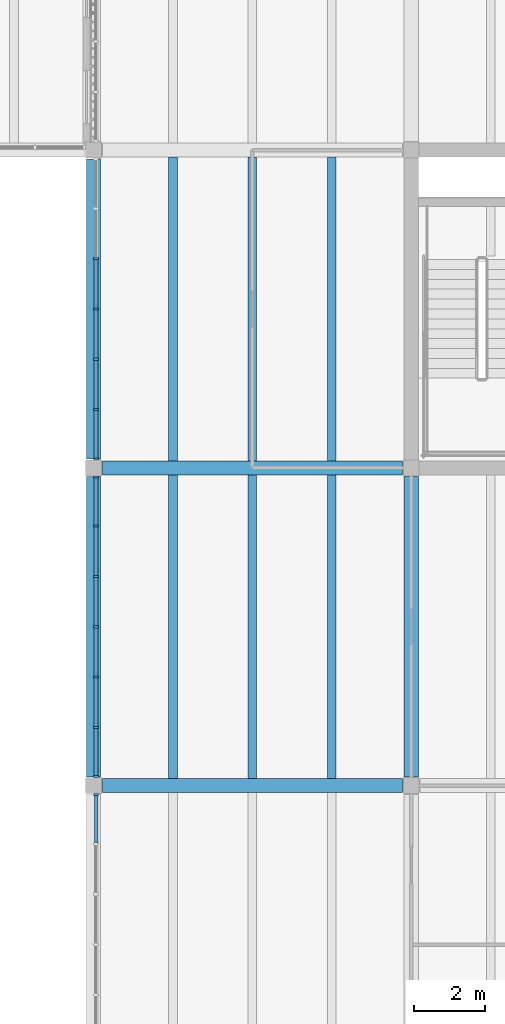
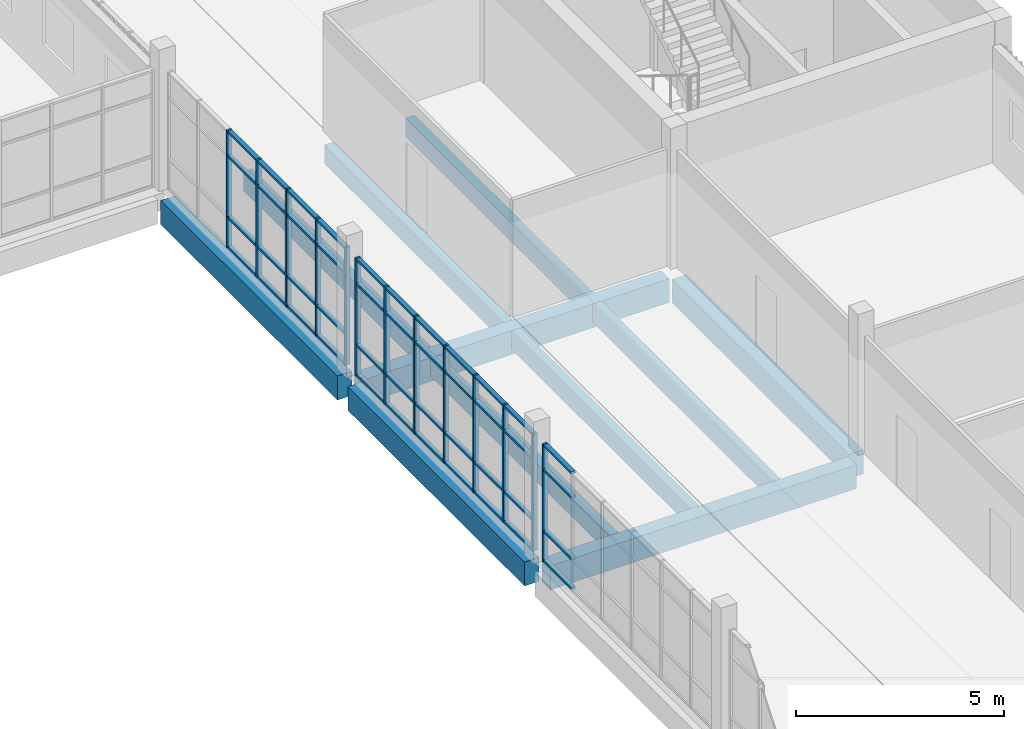
# One storey, part 24 of 88: 57 members, 11 beams, 3 elements without a shape of their own.
"""IFC4 building model written with IfcOpenShell, lengths in metres."""

from ifc_helpers import new_model, si_unit, direction, frame, origin, origin_2d, place, context, subcontext, project, spatial, rectangle, extrude, material, material_profile, profile_set, type_object, element, aggregate, save


model = new_model("IFC4")

# Units and contexts
model_context = context("Model", 3, precision=1e-05, world=origin(), true_north=direction((0.0, 1.0)))
body_context = subcontext(model_context, "Body", "Model", "MODEL_VIEW")
ifc_project = project(units=[si_unit("LENGTHUNIT", "METRE"), si_unit("AREAUNIT", "SQUARE_METRE"), si_unit("VOLUMEUNIT", "CUBIC_METRE"), si_unit("PLANEANGLEUNIT", "RADIAN"), si_unit("MASSUNIT", "GRAM", prefix="KILO")], contexts=[model_context])

# Site, building, storey
site_placement = place(None, origin())
site = spatial("IfcSite", under=ifc_project, at=site_placement, CompositionType="ELEMENT")
building_placement = place(site_placement, origin())
building = spatial("IfcBuilding", under=site, at=building_placement, Name="Merrow Basin Faculty of Sciences", CompositionType="ELEMENT")
storey_placement = place(building_placement, frame((0.0, 0.0, 9.0)))
storey = spatial("IfcBuildingStorey", under=building, at=storey_placement, Name="L02", CompositionType="ELEMENT", Elevation=9.0)

# Curtain wall, member
ifc_material_1 = material(Name="Aluminium alloy 6063", Category="aluminium")
curtain_wall_type = type_object("IfcCurtainWallType", Name="Court curtain wall 140", PredefinedType="NOTDEFINED", material=ifc_material_1)
curtain_wall_1_placement = place(storey_placement, origin())
curtain_wall_1 = element("IfcCurtainWall", 1, at=curtain_wall_1_placement, inside=storey, type_object=curtain_wall_type, Name="Court curtain wall L02 4", PredefinedType="NOTDEFINED")
ifc_material_2 = material(Name="Aluminium alloy 6063", Category="aluminium")
ifc_material_profile_1 = material_profile(ifc_material_2, rectangle(XDim=0.139892578125, YDim=0.06005859375, at=origin_2d()))
ifc_profile_set_1 = profile_set([ifc_material_profile_1], Name="Aluminium alloy 6063")
member_type_1 = type_object("IfcMemberType", Name="Aluminium mullion 60x140", PredefinedType="MULLION", material=ifc_profile_set_1)
member_1_placement = place(storey_placement, frame((54.070068359375, 96.7451171875, 0.0), z_axis=(0.0, 0.0, 1.0), x_axis=(-1.0, 0.0, 0.0)))
member_1 = element("IfcMember", 2, at=member_1_placement, type_object=member_type_1, Name="CW8 mullion 7", PredefinedType="MULLION", context=body_context, shape_type="SweptSolid", body=[
    extrude(rectangle(XDim=0.139892578125, YDim=0.06005859375, at=origin_2d()), origin(), (0.0, 0.0, 1.0), 3.449951171875),
])

# Curtain wall, members
curtain_wall_2_placement = place(storey_placement, origin())
curtain_wall_2 = element("IfcCurtainWall", 3, at=curtain_wall_2_placement, inside=storey, type_object=curtain_wall_type, Name="Court curtain wall L02 5", PredefinedType="NOTDEFINED")
member_2_placement = place(storey_placement, frame((54.070068359375, 97.2548828125, 0.0), z_axis=(0.0, 0.0, 1.0), x_axis=(-1.0, 0.0, 0.0)))
member_2 = element("IfcMember", 4, at=member_2_placement, type_object=member_type_1, Name="CW8 mullion 1", PredefinedType="MULLION", context=body_context, shape_type="SweptSolid", body=[
    extrude(rectangle(XDim=0.139892578125, YDim=0.06005859375, at=origin_2d()), origin(), (0.0, 0.0, 1.0), 3.449951171875),
])
member_3_placement = place(storey_placement, frame((54.070068359375, 98.64990234375, 0.0), z_axis=(0.0, 0.0, 1.0), x_axis=(-1.0, 0.0, 0.0)))
member_3 = element("IfcMember", 5, at=member_3_placement, type_object=member_type_1, Name="CW8 mullion 2", PredefinedType="MULLION", context=body_context, shape_type="SweptSolid", body=[
    extrude(rectangle(XDim=0.139892578125, YDim=0.06005859375, at=origin_2d()), origin(), (0.0, 0.0, 1.0), 3.449951171875),
])
member_4_placement = place(storey_placement, frame((54.070068359375, 100.074951171875, 0.0), z_axis=(0.0, 0.0, 1.0), x_axis=(-1.0, 0.0, 0.0)))
member_4 = element("IfcMember", 6, at=member_4_placement, type_object=member_type_1, Name="CW8 mullion 3", PredefinedType="MULLION", context=body_context, shape_type="SweptSolid", body=[
    extrude(rectangle(XDim=0.139892578125, YDim=0.06005859375, at=origin_2d()), origin(), (0.0, 0.0, 1.0), 3.449951171875),
])
member_5_placement = place(storey_placement, frame((54.070068359375, 101.5, 0.0), z_axis=(0.0, 0.0, 1.0), x_axis=(-1.0, 0.0, 0.0)))
member_5 = element("IfcMember", 7, at=member_5_placement, type_object=member_type_1, Name="CW8 mullion 4", PredefinedType="MULLION", context=body_context, shape_type="SweptSolid", body=[
    extrude(rectangle(XDim=0.139892578125, YDim=0.06005859375, at=origin_2d()), origin(), (0.0, 0.0, 1.0), 3.449951171875),
])
member_6_placement = place(storey_placement, frame((54.070068359375, 102.925048828125, 0.0), z_axis=(0.0, 0.0, 1.0), x_axis=(-1.0, 0.0, 0.0)))
member_6 = element("IfcMember", 8, at=member_6_placement, type_object=member_type_1, Name="CW8 mullion 5", PredefinedType="MULLION", context=body_context, shape_type="SweptSolid", body=[
    extrude(rectangle(XDim=0.139892578125, YDim=0.06005859375, at=origin_2d()), origin(), (0.0, 0.0, 1.0), 3.449951171875),
])
member_7_placement = place(storey_placement, frame((54.070068359375, 104.35009765625, 0.0), z_axis=(0.0, 0.0, 1.0), x_axis=(-1.0, 0.0, 0.0)))
member_7 = element("IfcMember", 9, at=member_7_placement, type_object=member_type_1, Name="CW8 mullion 6", PredefinedType="MULLION", context=body_context, shape_type="SweptSolid", body=[
    extrude(rectangle(XDim=0.139892578125, YDim=0.06005859375, at=origin_2d()), origin(), (0.0, 0.0, 1.0), 3.449951171875),
])
member_8_placement = place(storey_placement, frame((54.070068359375, 105.7451171875, 0.0), z_axis=(0.0, 0.0, 1.0), x_axis=(-1.0, 0.0, 0.0)))
member_8 = element("IfcMember", 10, at=member_8_placement, type_object=member_type_1, Name="CW8 mullion 7", PredefinedType="MULLION", context=body_context, shape_type="SweptSolid", body=[
    extrude(rectangle(XDim=0.139892578125, YDim=0.06005859375, at=origin_2d()), origin(), (0.0, 0.0, 1.0), 3.449951171875),
])

curtain_wall_3_placement = place(storey_placement, origin())
curtain_wall_3 = element("IfcCurtainWall", 11, at=curtain_wall_3_placement, inside=storey, type_object=curtain_wall_type, Name="Court curtain wall L02 6", PredefinedType="NOTDEFINED")
member_9_placement = place(storey_placement, frame((54.070068359375, 106.2548828125, 0.0), z_axis=(0.0, 0.0, 1.0), x_axis=(-1.0, 0.0, 0.0)))
member_9 = element("IfcMember", 12, at=member_9_placement, type_object=member_type_1, Name="CW8 mullion 1", PredefinedType="MULLION", context=body_context, shape_type="SweptSolid", body=[
    extrude(rectangle(XDim=0.139892578125, YDim=0.06005859375, at=origin_2d()), origin(), (0.0, 0.0, 1.0), 3.449951171875),
])
member_10_placement = place(storey_placement, frame((54.070068359375, 107.64990234375, 0.0), z_axis=(0.0, 0.0, 1.0), x_axis=(-1.0, 0.0, 0.0)))
member_10 = element("IfcMember", 13, at=member_10_placement, type_object=member_type_1, Name="CW8 mullion 2", PredefinedType="MULLION", context=body_context, shape_type="SweptSolid", body=[
    extrude(rectangle(XDim=0.139892578125, YDim=0.06005859375, at=origin_2d()), origin(), (0.0, 0.0, 1.0), 3.449951171875),
])
member_11_placement = place(storey_placement, frame((54.070068359375, 109.074951171875, 0.0), z_axis=(0.0, 0.0, 1.0), x_axis=(-1.0, 0.0, 0.0)))
member_11 = element("IfcMember", 14, at=member_11_placement, type_object=member_type_1, Name="CW8 mullion 3", PredefinedType="MULLION", context=body_context, shape_type="SweptSolid", body=[
    extrude(rectangle(XDim=0.139892578125, YDim=0.06005859375, at=origin_2d()), origin(), (0.0, 0.0, 1.0), 3.449951171875),
])
member_12_placement = place(storey_placement, frame((54.070068359375, 110.5, 0.0), z_axis=(0.0, 0.0, 1.0), x_axis=(-1.0, 0.0, 0.0)))
member_12 = element("IfcMember", 15, at=member_12_placement, type_object=member_type_1, Name="CW8 mullion 4", PredefinedType="MULLION", context=body_context, shape_type="SweptSolid", body=[
    extrude(rectangle(XDim=0.139892578125, YDim=0.06005859375, at=origin_2d()), origin(), (0.0, 0.0, 1.0), 3.449951171875),
])
member_13_placement = place(storey_placement, frame((54.070068359375, 111.925048828125, 0.0), z_axis=(0.0, 0.0, 1.0), x_axis=(-1.0, 0.0, 0.0)))
member_13 = element("IfcMember", 16, at=member_13_placement, type_object=member_type_1, Name="CW8 mullion 5", PredefinedType="MULLION", context=body_context, shape_type="SweptSolid", body=[
    extrude(rectangle(XDim=0.139892578125, YDim=0.06005859375, at=origin_2d()), origin(), (0.0, 0.0, 1.0), 3.449951171875),
])

# Member
ifc_material_3 = material(Name="Aluminium alloy 6063", Category="aluminium")
ifc_material_profile_2 = material_profile(ifc_material_3, rectangle(XDim=0.1201171875, YDim=0.06005859375, at=origin_2d()))
ifc_profile_set_2 = profile_set([ifc_material_profile_2], Name="Aluminium alloy 6063")
member_type_2 = type_object("IfcMemberType", Name="Aluminium transom 60x120", PredefinedType="USERDEFINED", material=ifc_profile_set_2)
member_14_placement = place(storey_placement, frame((54.070068359375, 95.3798828125, 0.030029296875), z_axis=(0.0, 1.0, 0.0), x_axis=(-1.0, 0.0, 0.0)))
member_14 = element("IfcMember", 17, at=member_14_placement, type_object=member_type_2, Name="CW8 transom 6.1", ObjectType="TRANSOM", PredefinedType="USERDEFINED", context=body_context, shape_type="SweptSolid", body=[
    extrude(rectangle(XDim=0.1201171875, YDim=0.06005859375, at=origin_2d()), origin(), (0.0, 0.0, 1.0), 1.335205078125),
])

member_15_placement = place(storey_placement, frame((54.070068359375, 95.3798828125, 0.89990234375), z_axis=(0.0, 1.0, 0.0), x_axis=(-1.0, 0.0, 0.0)))
member_15 = element("IfcMember", 18, at=member_15_placement, type_object=member_type_2, Name="CW8 transom 6.2", ObjectType="TRANSOM", PredefinedType="USERDEFINED", context=body_context, shape_type="SweptSolid", body=[
    extrude(rectangle(XDim=0.1201171875, YDim=0.06005859375, at=origin_2d()), origin(), (0.0, 0.0, 1.0), 1.335205078125),
])

member_16_placement = place(storey_placement, frame((54.070068359375, 95.3798828125, 2.699951171875), z_axis=(0.0, 1.0, 0.0), x_axis=(-1.0, 0.0, 0.0)))
member_16 = element("IfcMember", 19, at=member_16_placement, type_object=member_type_2, Name="CW8 transom 6.3", ObjectType="TRANSOM", PredefinedType="USERDEFINED", context=body_context, shape_type="SweptSolid", body=[
    extrude(rectangle(XDim=0.1201171875, YDim=0.06005859375, at=origin_2d()), origin(), (0.0, 0.0, 1.0), 1.335205078125),
])

member_17_placement = place(storey_placement, frame((54.070068359375, 95.3798828125, 3.419921875), z_axis=(0.0, 1.0, 0.0), x_axis=(-1.0, 0.0, 0.0)))
member_17 = element("IfcMember", 20, at=member_17_placement, type_object=member_type_2, Name="CW8 transom 6.4", ObjectType="TRANSOM", PredefinedType="USERDEFINED", context=body_context, shape_type="SweptSolid", body=[
    extrude(rectangle(XDim=0.1201171875, YDim=0.06005859375, at=origin_2d()), origin(), (0.0, 0.0, 1.0), 1.335205078125),
])

aggregate(curtain_wall_1, [member_1, member_14, member_15, member_16, member_17])

member_18_placement = place(storey_placement, frame((54.070068359375, 97.284912109375, 0.030029296875), z_axis=(0.0, 1.0, 0.0), x_axis=(-1.0, 0.0, 0.0)))
member_18 = element("IfcMember", 21, at=member_18_placement, type_object=member_type_2, Name="CW8 transom 1.1", ObjectType="TRANSOM", PredefinedType="USERDEFINED", context=body_context, shape_type="SweptSolid", body=[
    extrude(rectangle(XDim=0.1201171875, YDim=0.06005859375, at=origin_2d()), origin(), (0.0, 0.0, 1.0), 1.335205078125),
])

member_19_placement = place(storey_placement, frame((54.070068359375, 97.284912109375, 0.89990234375), z_axis=(0.0, 1.0, 0.0), x_axis=(-1.0, 0.0, 0.0)))
member_19 = element("IfcMember", 22, at=member_19_placement, type_object=member_type_2, Name="CW8 transom 1.2", ObjectType="TRANSOM", PredefinedType="USERDEFINED", context=body_context, shape_type="SweptSolid", body=[
    extrude(rectangle(XDim=0.1201171875, YDim=0.06005859375, at=origin_2d()), origin(), (0.0, 0.0, 1.0), 1.335205078125),
])

member_20_placement = place(storey_placement, frame((54.070068359375, 97.284912109375, 2.699951171875), z_axis=(0.0, 1.0, 0.0), x_axis=(-1.0, 0.0, 0.0)))
member_20 = element("IfcMember", 23, at=member_20_placement, type_object=member_type_2, Name="CW8 transom 1.3", ObjectType="TRANSOM", PredefinedType="USERDEFINED", context=body_context, shape_type="SweptSolid", body=[
    extrude(rectangle(XDim=0.1201171875, YDim=0.06005859375, at=origin_2d()), origin(), (0.0, 0.0, 1.0), 1.335205078125),
])

member_21_placement = place(storey_placement, frame((54.070068359375, 97.284912109375, 3.419921875), z_axis=(0.0, 1.0, 0.0), x_axis=(-1.0, 0.0, 0.0)))
member_21 = element("IfcMember", 24, at=member_21_placement, type_object=member_type_2, Name="CW8 transom 1.4", ObjectType="TRANSOM", PredefinedType="USERDEFINED", context=body_context, shape_type="SweptSolid", body=[
    extrude(rectangle(XDim=0.1201171875, YDim=0.06005859375, at=origin_2d()), origin(), (0.0, 0.0, 1.0), 1.335205078125),
])

member_22_placement = place(storey_placement, frame((54.070068359375, 98.679931640625, 0.030029296875), z_axis=(0.0, 1.0, 0.0), x_axis=(-1.0, 0.0, 0.0)))
member_22 = element("IfcMember", 25, at=member_22_placement, type_object=member_type_2, Name="CW8 transom 2.1", ObjectType="TRANSOM", PredefinedType="USERDEFINED", context=body_context, shape_type="SweptSolid", body=[
    extrude(rectangle(XDim=0.1201171875, YDim=0.06005859375, at=origin_2d()), origin(), (0.0, 0.0, 1.0), 1.364990234375),
])

member_23_placement = place(storey_placement, frame((54.070068359375, 98.679931640625, 0.89990234375), z_axis=(0.0, 1.0, 0.0), x_axis=(-1.0, 0.0, 0.0)))
member_23 = element("IfcMember", 26, at=member_23_placement, type_object=member_type_2, Name="CW8 transom 2.2", ObjectType="TRANSOM", PredefinedType="USERDEFINED", context=body_context, shape_type="SweptSolid", body=[
    extrude(rectangle(XDim=0.1201171875, YDim=0.06005859375, at=origin_2d()), origin(), (0.0, 0.0, 1.0), 1.364990234375),
])

member_24_placement = place(storey_placement, frame((54.070068359375, 98.679931640625, 2.699951171875), z_axis=(0.0, 1.0, 0.0), x_axis=(-1.0, 0.0, 0.0)))
member_24 = element("IfcMember", 27, at=member_24_placement, type_object=member_type_2, Name="CW8 transom 2.3", ObjectType="TRANSOM", PredefinedType="USERDEFINED", context=body_context, shape_type="SweptSolid", body=[
    extrude(rectangle(XDim=0.1201171875, YDim=0.06005859375, at=origin_2d()), origin(), (0.0, 0.0, 1.0), 1.364990234375),
])

member_25_placement = place(storey_placement, frame((54.070068359375, 98.679931640625, 3.419921875), z_axis=(0.0, 1.0, 0.0), x_axis=(-1.0, 0.0, 0.0)))
member_25 = element("IfcMember", 28, at=member_25_placement, type_object=member_type_2, Name="CW8 transom 2.4", ObjectType="TRANSOM", PredefinedType="USERDEFINED", context=body_context, shape_type="SweptSolid", body=[
    extrude(rectangle(XDim=0.1201171875, YDim=0.06005859375, at=origin_2d()), origin(), (0.0, 0.0, 1.0), 1.364990234375),
])

member_26_placement = place(storey_placement, frame((54.070068359375, 100.10498046875, 0.030029296875), z_axis=(0.0, 1.0, 0.0), x_axis=(-1.0, 0.0, 0.0)))
member_26 = element("IfcMember", 29, at=member_26_placement, type_object=member_type_2, Name="CW8 transom 3.1", ObjectType="TRANSOM", PredefinedType="USERDEFINED", context=body_context, shape_type="SweptSolid", body=[
    extrude(rectangle(XDim=0.1201171875, YDim=0.06005859375, at=origin_2d()), origin(), (0.0, 0.0, 1.0), 1.364990234375),
])

member_27_placement = place(storey_placement, frame((54.070068359375, 100.10498046875, 0.89990234375), z_axis=(0.0, 1.0, 0.0), x_axis=(-1.0, 0.0, 0.0)))
member_27 = element("IfcMember", 30, at=member_27_placement, type_object=member_type_2, Name="CW8 transom 3.2", ObjectType="TRANSOM", PredefinedType="USERDEFINED", context=body_context, shape_type="SweptSolid", body=[
    extrude(rectangle(XDim=0.1201171875, YDim=0.06005859375, at=origin_2d()), origin(), (0.0, 0.0, 1.0), 1.364990234375),
])

member_28_placement = place(storey_placement, frame((54.070068359375, 100.10498046875, 2.699951171875), z_axis=(0.0, 1.0, 0.0), x_axis=(-1.0, 0.0, 0.0)))
member_28 = element("IfcMember", 31, at=member_28_placement, type_object=member_type_2, Name="CW8 transom 3.3", ObjectType="TRANSOM", PredefinedType="USERDEFINED", context=body_context, shape_type="SweptSolid", body=[
    extrude(rectangle(XDim=0.1201171875, YDim=0.06005859375, at=origin_2d()), origin(), (0.0, 0.0, 1.0), 1.364990234375),
])

member_29_placement = place(storey_placement, frame((54.070068359375, 100.10498046875, 3.419921875), z_axis=(0.0, 1.0, 0.0), x_axis=(-1.0, 0.0, 0.0)))
member_29 = element("IfcMember", 32, at=member_29_placement, type_object=member_type_2, Name="CW8 transom 3.4", ObjectType="TRANSOM", PredefinedType="USERDEFINED", context=body_context, shape_type="SweptSolid", body=[
    extrude(rectangle(XDim=0.1201171875, YDim=0.06005859375, at=origin_2d()), origin(), (0.0, 0.0, 1.0), 1.364990234375),
])

member_30_placement = place(storey_placement, frame((54.070068359375, 101.530029296875, 0.030029296875), z_axis=(0.0, 1.0, 0.0), x_axis=(-1.0, 0.0, 0.0)))
member_30 = element("IfcMember", 33, at=member_30_placement, type_object=member_type_2, Name="CW8 transom 4.1", ObjectType="TRANSOM", PredefinedType="USERDEFINED", context=body_context, shape_type="SweptSolid", body=[
    extrude(rectangle(XDim=0.1201171875, YDim=0.06005859375, at=origin_2d()), origin(), (0.0, 0.0, 1.0), 1.364990234375),
])

member_31_placement = place(storey_placement, frame((54.070068359375, 101.530029296875, 0.89990234375), z_axis=(0.0, 1.0, 0.0), x_axis=(-1.0, 0.0, 0.0)))
member_31 = element("IfcMember", 34, at=member_31_placement, type_object=member_type_2, Name="CW8 transom 4.2", ObjectType="TRANSOM", PredefinedType="USERDEFINED", context=body_context, shape_type="SweptSolid", body=[
    extrude(rectangle(XDim=0.1201171875, YDim=0.06005859375, at=origin_2d()), origin(), (0.0, 0.0, 1.0), 1.364990234375),
])

member_32_placement = place(storey_placement, frame((54.070068359375, 101.530029296875, 2.699951171875), z_axis=(0.0, 1.0, 0.0), x_axis=(-1.0, 0.0, 0.0)))
member_32 = element("IfcMember", 35, at=member_32_placement, type_object=member_type_2, Name="CW8 transom 4.3", ObjectType="TRANSOM", PredefinedType="USERDEFINED", context=body_context, shape_type="SweptSolid", body=[
    extrude(rectangle(XDim=0.1201171875, YDim=0.06005859375, at=origin_2d()), origin(), (0.0, 0.0, 1.0), 1.364990234375),
])

member_33_placement = place(storey_placement, frame((54.070068359375, 101.530029296875, 3.419921875), z_axis=(0.0, 1.0, 0.0), x_axis=(-1.0, 0.0, 0.0)))
member_33 = element("IfcMember", 36, at=member_33_placement, type_object=member_type_2, Name="CW8 transom 4.4", ObjectType="TRANSOM", PredefinedType="USERDEFINED", context=body_context, shape_type="SweptSolid", body=[
    extrude(rectangle(XDim=0.1201171875, YDim=0.06005859375, at=origin_2d()), origin(), (0.0, 0.0, 1.0), 1.364990234375),
])

member_34_placement = place(storey_placement, frame((54.070068359375, 102.955078125, 0.030029296875), z_axis=(0.0, 1.0, 0.0), x_axis=(-1.0, 0.0, 0.0)))
member_34 = element("IfcMember", 37, at=member_34_placement, type_object=member_type_2, Name="CW8 transom 5.1", ObjectType="TRANSOM", PredefinedType="USERDEFINED", context=body_context, shape_type="SweptSolid", body=[
    extrude(rectangle(XDim=0.1201171875, YDim=0.06005859375, at=origin_2d()), origin(), (0.0, 0.0, 1.0), 1.364990234375),
])

member_35_placement = place(storey_placement, frame((54.070068359375, 102.955078125, 0.89990234375), z_axis=(0.0, 1.0, 0.0), x_axis=(-1.0, 0.0, 0.0)))
member_35 = element("IfcMember", 38, at=member_35_placement, type_object=member_type_2, Name="CW8 transom 5.2", ObjectType="TRANSOM", PredefinedType="USERDEFINED", context=body_context, shape_type="SweptSolid", body=[
    extrude(rectangle(XDim=0.1201171875, YDim=0.06005859375, at=origin_2d()), origin(), (0.0, 0.0, 1.0), 1.364990234375),
])

member_36_placement = place(storey_placement, frame((54.070068359375, 102.955078125, 2.699951171875), z_axis=(0.0, 1.0, 0.0), x_axis=(-1.0, 0.0, 0.0)))
member_36 = element("IfcMember", 39, at=member_36_placement, type_object=member_type_2, Name="CW8 transom 5.3", ObjectType="TRANSOM", PredefinedType="USERDEFINED", context=body_context, shape_type="SweptSolid", body=[
    extrude(rectangle(XDim=0.1201171875, YDim=0.06005859375, at=origin_2d()), origin(), (0.0, 0.0, 1.0), 1.364990234375),
])

member_37_placement = place(storey_placement, frame((54.070068359375, 102.955078125, 3.419921875), z_axis=(0.0, 1.0, 0.0), x_axis=(-1.0, 0.0, 0.0)))
member_37 = element("IfcMember", 40, at=member_37_placement, type_object=member_type_2, Name="CW8 transom 5.4", ObjectType="TRANSOM", PredefinedType="USERDEFINED", context=body_context, shape_type="SweptSolid", body=[
    extrude(rectangle(XDim=0.1201171875, YDim=0.06005859375, at=origin_2d()), origin(), (0.0, 0.0, 1.0), 1.364990234375),
])

member_38_placement = place(storey_placement, frame((54.070068359375, 104.3798828125, 0.030029296875), z_axis=(0.0, 1.0, 0.0), x_axis=(-1.0, 0.0, 0.0)))
member_38 = element("IfcMember", 41, at=member_38_placement, type_object=member_type_2, Name="CW8 transom 6.1", ObjectType="TRANSOM", PredefinedType="USERDEFINED", context=body_context, shape_type="SweptSolid", body=[
    extrude(rectangle(XDim=0.1201171875, YDim=0.06005859375, at=origin_2d()), origin(), (0.0, 0.0, 1.0), 1.335205078125),
])

member_39_placement = place(storey_placement, frame((54.070068359375, 104.3798828125, 0.89990234375), z_axis=(0.0, 1.0, 0.0), x_axis=(-1.0, 0.0, 0.0)))
member_39 = element("IfcMember", 42, at=member_39_placement, type_object=member_type_2, Name="CW8 transom 6.2", ObjectType="TRANSOM", PredefinedType="USERDEFINED", context=body_context, shape_type="SweptSolid", body=[
    extrude(rectangle(XDim=0.1201171875, YDim=0.06005859375, at=origin_2d()), origin(), (0.0, 0.0, 1.0), 1.335205078125),
])

member_40_placement = place(storey_placement, frame((54.070068359375, 104.3798828125, 2.699951171875), z_axis=(0.0, 1.0, 0.0), x_axis=(-1.0, 0.0, 0.0)))
member_40 = element("IfcMember", 43, at=member_40_placement, type_object=member_type_2, Name="CW8 transom 6.3", ObjectType="TRANSOM", PredefinedType="USERDEFINED", context=body_context, shape_type="SweptSolid", body=[
    extrude(rectangle(XDim=0.1201171875, YDim=0.06005859375, at=origin_2d()), origin(), (0.0, 0.0, 1.0), 1.335205078125),
])

member_41_placement = place(storey_placement, frame((54.070068359375, 104.3798828125, 3.419921875), z_axis=(0.0, 1.0, 0.0), x_axis=(-1.0, 0.0, 0.0)))
member_41 = element("IfcMember", 44, at=member_41_placement, type_object=member_type_2, Name="CW8 transom 6.4", ObjectType="TRANSOM", PredefinedType="USERDEFINED", context=body_context, shape_type="SweptSolid", body=[
    extrude(rectangle(XDim=0.1201171875, YDim=0.06005859375, at=origin_2d()), origin(), (0.0, 0.0, 1.0), 1.335205078125),
])

aggregate(curtain_wall_2, [member_2, member_3, member_4, member_5, member_6, member_7, member_8, member_18, member_19, member_20, member_21, member_22, member_23, member_24, member_25, member_26, member_27, member_28, member_29, member_30, member_31, member_32, member_33, member_34, member_35, member_36, member_37, member_38, member_39, member_40, member_41])

member_42_placement = place(storey_placement, frame((54.070068359375, 106.284912109375, 0.030029296875), z_axis=(0.0, 1.0, 0.0), x_axis=(-1.0, 0.0, 0.0)))
member_42 = element("IfcMember", 45, at=member_42_placement, type_object=member_type_2, Name="CW8 transom 1.1", ObjectType="TRANSOM", PredefinedType="USERDEFINED", context=body_context, shape_type="SweptSolid", body=[
    extrude(rectangle(XDim=0.1201171875, YDim=0.06005859375, at=origin_2d()), origin(), (0.0, 0.0, 1.0), 1.335205078125),
])

member_43_placement = place(storey_placement, frame((54.070068359375, 106.284912109375, 0.89990234375), z_axis=(0.0, 1.0, 0.0), x_axis=(-1.0, 0.0, 0.0)))
member_43 = element("IfcMember", 46, at=member_43_placement, type_object=member_type_2, Name="CW8 transom 1.2", ObjectType="TRANSOM", PredefinedType="USERDEFINED", context=body_context, shape_type="SweptSolid", body=[
    extrude(rectangle(XDim=0.1201171875, YDim=0.06005859375, at=origin_2d()), origin(), (0.0, 0.0, 1.0), 1.335205078125),
])

member_44_placement = place(storey_placement, frame((54.070068359375, 106.284912109375, 2.699951171875), z_axis=(0.0, 1.0, 0.0), x_axis=(-1.0, 0.0, 0.0)))
member_44 = element("IfcMember", 47, at=member_44_placement, type_object=member_type_2, Name="CW8 transom 1.3", ObjectType="TRANSOM", PredefinedType="USERDEFINED", context=body_context, shape_type="SweptSolid", body=[
    extrude(rectangle(XDim=0.1201171875, YDim=0.06005859375, at=origin_2d()), origin(), (0.0, 0.0, 1.0), 1.335205078125),
])

member_45_placement = place(storey_placement, frame((54.070068359375, 106.284912109375, 3.419921875), z_axis=(0.0, 1.0, 0.0), x_axis=(-1.0, 0.0, 0.0)))
member_45 = element("IfcMember", 48, at=member_45_placement, type_object=member_type_2, Name="CW8 transom 1.4", ObjectType="TRANSOM", PredefinedType="USERDEFINED", context=body_context, shape_type="SweptSolid", body=[
    extrude(rectangle(XDim=0.1201171875, YDim=0.06005859375, at=origin_2d()), origin(), (0.0, 0.0, 1.0), 1.335205078125),
])

member_46_placement = place(storey_placement, frame((54.070068359375, 107.679931640625, 0.030029296875), z_axis=(0.0, 1.0, 0.0), x_axis=(-1.0, 0.0, 0.0)))
member_46 = element("IfcMember", 49, at=member_46_placement, type_object=member_type_2, Name="CW8 transom 2.1", ObjectType="TRANSOM", PredefinedType="USERDEFINED", context=body_context, shape_type="SweptSolid", body=[
    extrude(rectangle(XDim=0.1201171875, YDim=0.06005859375, at=origin_2d()), origin(), (0.0, 0.0, 1.0), 1.364990234375),
])

member_47_placement = place(storey_placement, frame((54.070068359375, 107.679931640625, 0.89990234375), z_axis=(0.0, 1.0, 0.0), x_axis=(-1.0, 0.0, 0.0)))
member_47 = element("IfcMember", 50, at=member_47_placement, type_object=member_type_2, Name="CW8 transom 2.2", ObjectType="TRANSOM", PredefinedType="USERDEFINED", context=body_context, shape_type="SweptSolid", body=[
    extrude(rectangle(XDim=0.1201171875, YDim=0.06005859375, at=origin_2d()), origin(), (0.0, 0.0, 1.0), 1.364990234375),
])

member_48_placement = place(storey_placement, frame((54.070068359375, 107.679931640625, 2.699951171875), z_axis=(0.0, 1.0, 0.0), x_axis=(-1.0, 0.0, 0.0)))
member_48 = element("IfcMember", 51, at=member_48_placement, type_object=member_type_2, Name="CW8 transom 2.3", ObjectType="TRANSOM", PredefinedType="USERDEFINED", context=body_context, shape_type="SweptSolid", body=[
    extrude(rectangle(XDim=0.1201171875, YDim=0.06005859375, at=origin_2d()), origin(), (0.0, 0.0, 1.0), 1.364990234375),
])

member_49_placement = place(storey_placement, frame((54.070068359375, 107.679931640625, 3.419921875), z_axis=(0.0, 1.0, 0.0), x_axis=(-1.0, 0.0, 0.0)))
member_49 = element("IfcMember", 52, at=member_49_placement, type_object=member_type_2, Name="CW8 transom 2.4", ObjectType="TRANSOM", PredefinedType="USERDEFINED", context=body_context, shape_type="SweptSolid", body=[
    extrude(rectangle(XDim=0.1201171875, YDim=0.06005859375, at=origin_2d()), origin(), (0.0, 0.0, 1.0), 1.364990234375),
])

member_50_placement = place(storey_placement, frame((54.070068359375, 109.10498046875, 0.030029296875), z_axis=(0.0, 1.0, 0.0), x_axis=(-1.0, 0.0, 0.0)))
member_50 = element("IfcMember", 53, at=member_50_placement, type_object=member_type_2, Name="CW8 transom 3.1", ObjectType="TRANSOM", PredefinedType="USERDEFINED", context=body_context, shape_type="SweptSolid", body=[
    extrude(rectangle(XDim=0.1201171875, YDim=0.06005859375, at=origin_2d()), origin(), (0.0, 0.0, 1.0), 1.364990234375),
])

member_51_placement = place(storey_placement, frame((54.070068359375, 109.10498046875, 0.89990234375), z_axis=(0.0, 1.0, 0.0), x_axis=(-1.0, 0.0, 0.0)))
member_51 = element("IfcMember", 54, at=member_51_placement, type_object=member_type_2, Name="CW8 transom 3.2", ObjectType="TRANSOM", PredefinedType="USERDEFINED", context=body_context, shape_type="SweptSolid", body=[
    extrude(rectangle(XDim=0.1201171875, YDim=0.06005859375, at=origin_2d()), origin(), (0.0, 0.0, 1.0), 1.364990234375),
])

member_52_placement = place(storey_placement, frame((54.070068359375, 109.10498046875, 2.699951171875), z_axis=(0.0, 1.0, 0.0), x_axis=(-1.0, 0.0, 0.0)))
member_52 = element("IfcMember", 55, at=member_52_placement, type_object=member_type_2, Name="CW8 transom 3.3", ObjectType="TRANSOM", PredefinedType="USERDEFINED", context=body_context, shape_type="SweptSolid", body=[
    extrude(rectangle(XDim=0.1201171875, YDim=0.06005859375, at=origin_2d()), origin(), (0.0, 0.0, 1.0), 1.364990234375),
])

member_53_placement = place(storey_placement, frame((54.070068359375, 109.10498046875, 3.419921875), z_axis=(0.0, 1.0, 0.0), x_axis=(-1.0, 0.0, 0.0)))
member_53 = element("IfcMember", 56, at=member_53_placement, type_object=member_type_2, Name="CW8 transom 3.4", ObjectType="TRANSOM", PredefinedType="USERDEFINED", context=body_context, shape_type="SweptSolid", body=[
    extrude(rectangle(XDim=0.1201171875, YDim=0.06005859375, at=origin_2d()), origin(), (0.0, 0.0, 1.0), 1.364990234375),
])

member_54_placement = place(storey_placement, frame((54.070068359375, 110.530029296875, 0.030029296875), z_axis=(0.0, 1.0, 0.0), x_axis=(-1.0, 0.0, 0.0)))
member_54 = element("IfcMember", 57, at=member_54_placement, type_object=member_type_2, Name="CW8 transom 4.1", ObjectType="TRANSOM", PredefinedType="USERDEFINED", context=body_context, shape_type="SweptSolid", body=[
    extrude(rectangle(XDim=0.1201171875, YDim=0.06005859375, at=origin_2d()), origin(), (0.0, 0.0, 1.0), 1.364990234375),
])

member_55_placement = place(storey_placement, frame((54.070068359375, 110.530029296875, 0.89990234375), z_axis=(0.0, 1.0, 0.0), x_axis=(-1.0, 0.0, 0.0)))
member_55 = element("IfcMember", 58, at=member_55_placement, type_object=member_type_2, Name="CW8 transom 4.2", ObjectType="TRANSOM", PredefinedType="USERDEFINED", context=body_context, shape_type="SweptSolid", body=[
    extrude(rectangle(XDim=0.1201171875, YDim=0.06005859375, at=origin_2d()), origin(), (0.0, 0.0, 1.0), 1.364990234375),
])

member_56_placement = place(storey_placement, frame((54.070068359375, 110.530029296875, 2.699951171875), z_axis=(0.0, 1.0, 0.0), x_axis=(-1.0, 0.0, 0.0)))
member_56 = element("IfcMember", 59, at=member_56_placement, type_object=member_type_2, Name="CW8 transom 4.3", ObjectType="TRANSOM", PredefinedType="USERDEFINED", context=body_context, shape_type="SweptSolid", body=[
    extrude(rectangle(XDim=0.1201171875, YDim=0.06005859375, at=origin_2d()), origin(), (0.0, 0.0, 1.0), 1.364990234375),
])

member_57_placement = place(storey_placement, frame((54.070068359375, 110.530029296875, 3.419921875), z_axis=(0.0, 1.0, 0.0), x_axis=(-1.0, 0.0, 0.0)))
member_57 = element("IfcMember", 60, at=member_57_placement, type_object=member_type_2, Name="CW8 transom 4.4", ObjectType="TRANSOM", PredefinedType="USERDEFINED", context=body_context, shape_type="SweptSolid", body=[
    extrude(rectangle(XDim=0.1201171875, YDim=0.06005859375, at=origin_2d()), origin(), (0.0, 0.0, 1.0), 1.364990234375),
])

aggregate(curtain_wall_3, [member_9, member_10, member_11, member_12, member_13, member_42, member_43, member_44, member_45, member_46, member_47, member_48, member_49, member_50, member_51, member_52, member_53, member_54, member_55, member_56, member_57])

# Beams
ifc_material_4 = material(Name="Concrete C40/50", Category="concrete")
ifc_material_profile_3 = material_profile(ifc_material_4, rectangle(XDim=0.39990234375, YDim=0.699951171875, at=origin_2d()))
ifc_profile_set_3 = profile_set([ifc_material_profile_3], Name="Concrete C40/50")
beam_type_1 = type_object("IfcBeamType", Name="Beam RC400x700 C40/50", PredefinedType="BEAM", material=ifc_profile_set_3)
for number, where, z_axis, x_axis, name in (
    (61, (54.25, 97.0, -0.60009765625), (1.0, 0.0, 0.0), (0.0, 1.0, 0.0), "B3 L02 007"),
    (62, (54.25, 106.0, -0.60009765625), (1.0, 0.0, 0.0), (0.0, 1.0, 0.0), "B3 L02 009"),
    (63, (54.0, 97.25, -0.60009765625), (0.0, 1.0, 0.0), (-1.0, 0.0, 0.0), "B3 L02 028"),
    (64, (54.0, 106.25, -0.60009765625), (0.0, 1.0, 0.0), (-1.0, 0.0, 0.0), "B3 L02 029"),
    (65, (63.0, 97.25, -0.60009765625), (0.0, 1.0, 0.0), (-1.0, 0.0, 0.0), "B3 L02 035"),
):
    element("IfcBeam", number, at=place(storey_placement, frame(where, z_axis=z_axis, x_axis=x_axis)), inside=storey, type_object=beam_type_1, Name=name, PredefinedType="BEAM", context=body_context, shape_type="SweptSolid", body=[
        extrude(rectangle(XDim=0.39990234375, YDim=0.699951171875, at=origin_2d()), origin(), (0.0, 0.0, 1.0), 8.5),
    ])
ifc_material_5 = material(Name="Concrete C40/50", Category="concrete")
ifc_material_profile_4 = material_profile(ifc_material_5, rectangle(XDim=0.25, YDim=0.550048828125, at=origin_2d()))
ifc_profile_set_4 = profile_set([ifc_material_profile_4], Name="Concrete C40/50")
beam_type_2 = type_object("IfcBeamType", Name="Commons floor joist RC250x550 C40/50", PredefinedType="BEAM", material=ifc_profile_set_4)
for number, where, z_axis, x_axis, name in (
    (66, (56.25, 97.199951171875, -0.52490234375), (0.0, 1.0, 0.0), (-1.0, 0.0, 0.0), "JC1 L02 072"),
    (67, (58.5, 97.199951171875, -0.52490234375), (0.0, 1.0, 0.0), (-1.0, 0.0, 0.0), "JC1 L02 073"),
    (68, (60.75, 97.199951171875, -0.52490234375), (0.0, 1.0, 0.0), (-1.0, 0.0, 0.0), "JC1 L02 074"),
    (69, (56.25, 106.199951171875, -0.52490234375), (0.0, 1.0, 0.0), (-1.0, 0.0, 0.0), "JC1 L02 075"),
    (70, (58.5, 106.199951171875, -0.52490234375), (0.0, 1.0, 0.0), (-1.0, 0.0, 0.0), "JC1 L02 076"),
    (71, (60.75, 106.199951171875, -0.52490234375), (0.0, 1.0, 0.0), (-1.0, 0.0, 0.0), "JC1 L02 077"),
):
    element("IfcBeam", number, at=place(storey_placement, frame(where, z_axis=z_axis, x_axis=x_axis)), inside=storey, type_object=beam_type_2, Name=name, PredefinedType="BEAM", context=body_context, shape_type="SweptSolid", body=[
        extrude(rectangle(XDim=0.25, YDim=0.550048828125, at=origin_2d()), origin(), (0.0, 0.0, 1.0), 8.60009765625),
    ])

save(model, "model.ifc")
